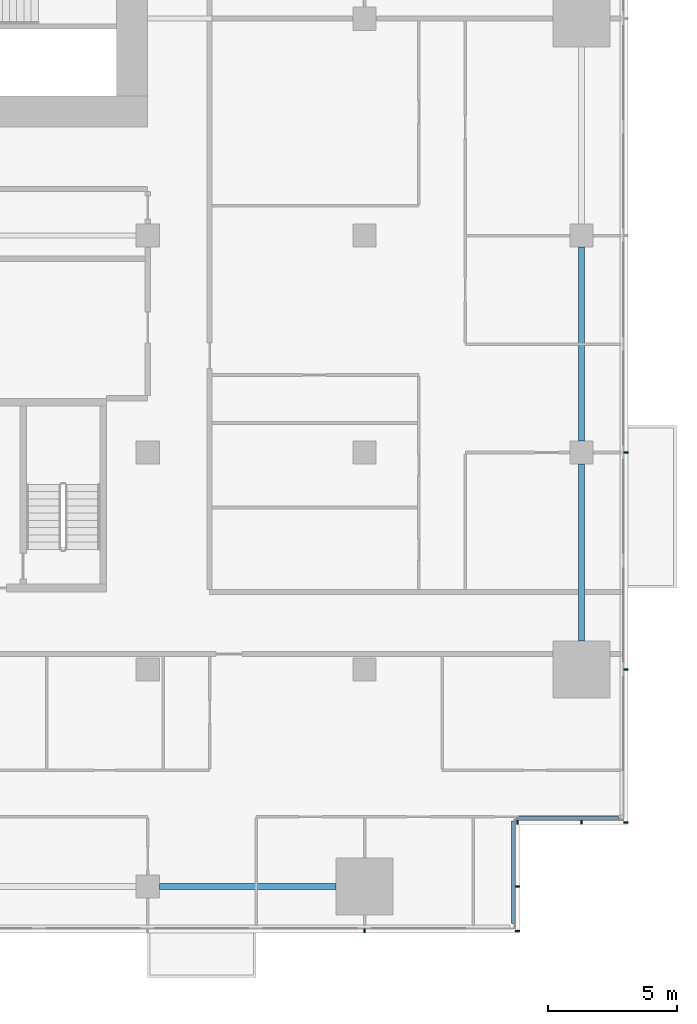
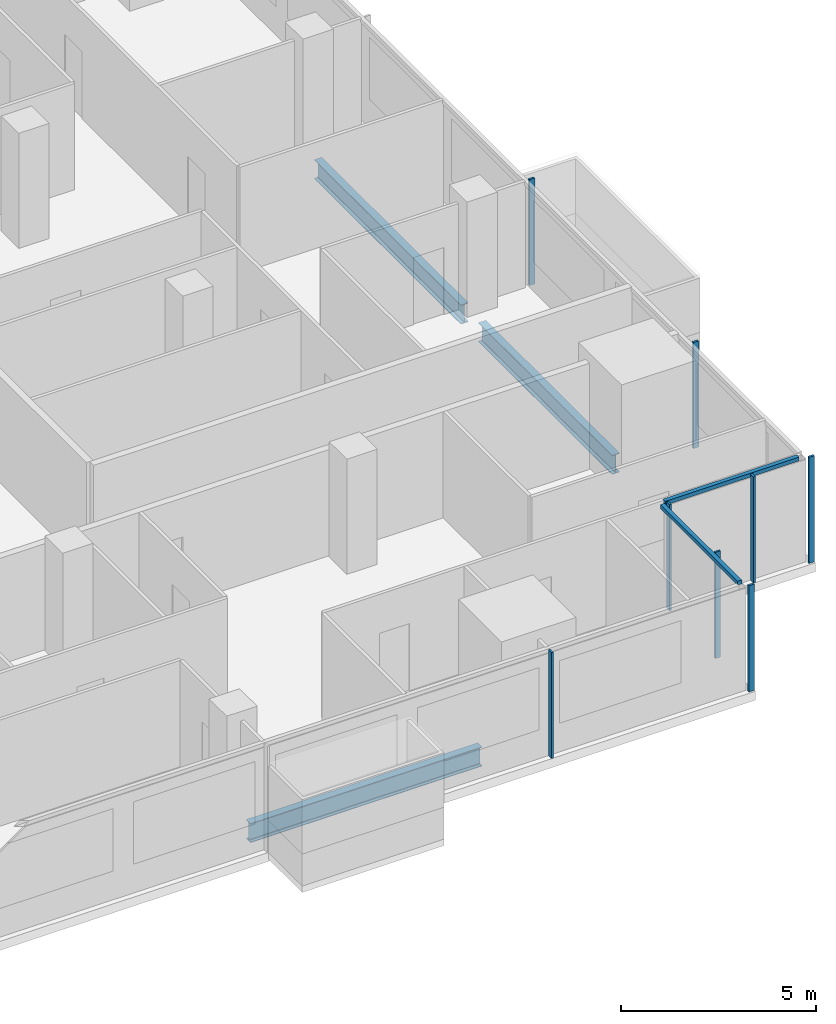
# One storey, part 11 of 29: 10 members, 3 beams, 4 elements without a shape of their own.
"""IFC4 building model written with IfcOpenShell, lengths in metres."""

from ifc_helpers import new_model, si_unit, direction, frame, origin, origin_2d, place, context, subcontext, project, spatial, rectangle, i_section, extrude, material, material_profile, profile_set, type_object, element, aggregate, save


model = new_model("IFC4")

# Units and contexts
model_context = context("Model", 3, precision=1e-05, world=origin(), true_north=direction((0.0, 1.0)))
body_context = subcontext(model_context, "Body", "Model", "MODEL_VIEW")
ifc_project = project(units=[si_unit("LENGTHUNIT", "METRE"), si_unit("AREAUNIT", "SQUARE_METRE"), si_unit("VOLUMEUNIT", "CUBIC_METRE"), si_unit("PLANEANGLEUNIT", "RADIAN"), si_unit("MASSUNIT", "GRAM", prefix="KILO")], contexts=[model_context])

# Site, building, storey
site_placement = place(None, origin())
site = spatial("IfcSite", under=ifc_project, at=site_placement, CompositionType="ELEMENT")
building_placement = place(site_placement, origin())
building = spatial("IfcBuilding", under=site, at=building_placement, Name="Saffron Gate Tower", CompositionType="ELEMENT")
storey_placement = place(building_placement, frame((0.0, 0.0, 58.800048828125)))
storey = spatial("IfcBuildingStorey", under=building, at=storey_placement, Name="L13", CompositionType="ELEMENT", Elevation=58.800048828125)

# Beams
ifc_material_1 = material(Name="Structural steel S355", Category="steel")
ifc_material_profile_1 = material_profile(ifc_material_1, i_section(OverallWidth=0.219970703125, OverallDepth=0.60009765625, WebThickness=0.011962890625, FlangeThickness=0.01904296875, FilletRadius=0.02392578125, at=origin_2d()))
ifc_profile_set_1 = profile_set([ifc_material_profile_1], Name="Structural steel S355")
beam_type = type_object("IfcBeamType", Name="B16 IPE 600", PredefinedType="SPANDREL", material=ifc_profile_set_1)
for number, where, z_axis, x_axis, name in (
    (1, (109.050048828125, 31.800048828125, -0.580078125), (1.0, 0.0, 0.0), (0.0, 1.0, 0.0), "B16 SPANDREL BEAM"),
    (2, (125.39990234375, 41.300048828125, -0.580078125), (0.0, 1.0, 0.0), (-1.0, 0.0, 0.0), "B16 SPANDREL BEAM"),
):
    element("IfcBeam", number, at=place(storey_placement, frame(where, z_axis=z_axis, x_axis=x_axis)), inside=storey, type_object=beam_type, Name=name, PredefinedType="SPANDREL", context=body_context, shape_type="SweptSolid", body=[
        extrude(i_section(OverallWidth=0.219970703125, OverallDepth=0.60009765625, WebThickness=0.011962890625, FlangeThickness=0.01904296875, FilletRadius=0.02392578125, at=origin_2d()), origin(), (0.0, 0.0, 1.0), 6.849853515625),
    ])
beam_placement = place(storey_placement, frame((125.39990234375, 49.050048828125, -0.580078125), z_axis=(0.0, 1.0, 0.0), x_axis=(-1.0, 0.0, 0.0)))
element("IfcBeam", 3, at=beam_placement, inside=storey, type_object=beam_type, Name="B16 SPANDREL BEAM", PredefinedType="SPANDREL", context=body_context, shape_type="SweptSolid", body=[
    extrude(i_section(OverallWidth=0.219970703125, OverallDepth=0.60009765625, WebThickness=0.011962890625, FlangeThickness=0.01904296875, FilletRadius=0.02392578125, at=origin_2d()), origin(), (0.0, 0.0, 1.0), 7.5),
])

# Curtain wall, member
ifc_material_2 = material(Name="Aluminium, bronze anodised", Category="aluminium")
curtain_wall_type_1 = type_object("IfcCurtainWallType", Name="CWS1 curtain wall front facade", PredefinedType="NOTDEFINED", material=ifc_material_2)
curtain_wall_1_placement = place(storey_placement, origin())
curtain_wall_1 = element("IfcCurtainWall", 4, at=curtain_wall_1_placement, inside=storey, type_object=curtain_wall_type_1, Name="CWS1 run 1", PredefinedType="NOTDEFINED")
ifc_material_profile_2 = material_profile(ifc_material_2, rectangle(XDim=0.159912109375, YDim=0.06005859375, at=origin_2d()))
ifc_profile_set_2 = profile_set([ifc_material_profile_2], Name="Aluminium, bronze anodised")
member_type_1 = type_object("IfcMemberType", Name="CWS1 mullion 60x160", PredefinedType="MULLION", material=ifc_profile_set_2)
member_1_placement = place(storey_placement, frame((117.0, 30.080078125, 0.0), z_axis=(0.0, 0.0, 1.0), x_axis=(0.0, 1.0, 0.0)))
member_1 = element("IfcMember", 5, at=member_1_placement, type_object=member_type_1, Name="CWS1 mullion 9", PredefinedType="MULLION", context=body_context, shape_type="SweptSolid", body=[
    extrude(rectangle(XDim=0.159912109375, YDim=0.06005859375, at=origin_2d()), origin(), (0.0, 0.0, 1.0), 3.320068359375),
])
aggregate(curtain_wall_1, [member_1])

# Curtain wall, members
curtain_wall_type_2 = type_object("IfcCurtainWallType", Name="CWS2 curtain wall side facades", PredefinedType="NOTDEFINED", material=ifc_material_2)
curtain_wall_2_placement = place(storey_placement, origin())
curtain_wall_2 = element("IfcCurtainWall", 6, at=curtain_wall_2_placement, inside=storey, type_object=curtain_wall_type_2, Name="CWS2 run 4", PredefinedType="NOTDEFINED")
ifc_material_profile_3 = material_profile(ifc_material_2, rectangle(XDim=0.159912109375, YDim=0.06005859375, at=origin_2d()))
ifc_profile_set_3 = profile_set([ifc_material_profile_3], Name="Aluminium, bronze anodised")
member_type_2 = type_object("IfcMemberType", Name="CWS2 mullion 60x160", PredefinedType="MULLION", material=ifc_profile_set_3)
member_2_placement = place(storey_placement, frame((127.1201171875, 34.280029296875, 0.0), z_axis=(0.0, 0.0, 1.0), x_axis=(-1.0, 0.0, 0.0)))
member_2 = element("IfcMember", 7, at=member_2_placement, type_object=member_type_2, Name="CWS2 mullion 1", PredefinedType="MULLION", context=body_context, shape_type="SweptSolid", body=[
    extrude(rectangle(XDim=0.159912109375, YDim=0.06005859375, at=origin_2d()), origin(), (0.0, 0.0, 1.0), 3.320068359375),
])
member_3_placement = place(storey_placement, frame((127.1201171875, 40.199951171875, 0.0), z_axis=(0.0, 0.0, 1.0), x_axis=(-1.0, 0.0, 0.0)))
member_3 = element("IfcMember", 8, at=member_3_placement, type_object=member_type_2, Name="CWS2 mullion 2", PredefinedType="MULLION", context=body_context, shape_type="SweptSolid", body=[
    extrude(rectangle(XDim=0.159912109375, YDim=0.06005859375, at=origin_2d()), origin(), (0.0, 0.0, 1.0), 3.320068359375),
])
member_4_placement = place(storey_placement, frame((127.1201171875, 48.60009765625, 0.0), z_axis=(0.0, 0.0, 1.0), x_axis=(-1.0, 0.0, 0.0)))
member_4 = element("IfcMember", 9, at=member_4_placement, type_object=member_type_2, Name="CWS2 mullion 3", PredefinedType="MULLION", context=body_context, shape_type="SweptSolid", body=[
    extrude(rectangle(XDim=0.159912109375, YDim=0.06005859375, at=origin_2d()), origin(), (0.0, 0.0, 1.0), 3.320068359375),
])
aggregate(curtain_wall_2, [member_2, member_3, member_4])

# Curtain wall, member
curtain_wall_type_3 = type_object("IfcCurtainWallType", Name="CWS4 curtain wall corner returns", PredefinedType="NOTDEFINED", material=ifc_material_2)
curtain_wall_3_placement = place(storey_placement, origin())
curtain_wall_3 = element("IfcCurtainWall", 10, at=curtain_wall_3_placement, inside=storey, type_object=curtain_wall_type_3, Name="CWS4 run 2", PredefinedType="NOTDEFINED")
ifc_material_profile_4 = material_profile(ifc_material_2, rectangle(XDim=0.1201171875, YDim=0.1201171875, at=origin_2d()))
ifc_profile_set_4 = profile_set([ifc_material_profile_4], Name="Aluminium, bronze anodised")
member_type_3 = type_object("IfcMemberType", Name="CWS4 head transom", PredefinedType="USERDEFINED", material=ifc_profile_set_4)
member_5_placement = place(storey_placement, frame((122.751953125, 30.367919921875, 3.260009765625), z_axis=(0.0, 1.0, 0.0), x_axis=(-1.0, 0.0, 0.0)))
member_5 = element("IfcMember", 11, at=member_5_placement, type_object=member_type_3, Name="CWS4 head transom", ObjectType="TRANSOM", PredefinedType="USERDEFINED", context=body_context, shape_type="SweptSolid", body=[
    extrude(rectangle(XDim=0.1201171875, YDim=0.1201171875, at=origin_2d()), origin(), (0.0, 0.0, 1.0), 3.9599609375),
])

curtain_wall_4_placement = place(storey_placement, origin())
curtain_wall_4 = element("IfcCurtainWall", 12, at=curtain_wall_4_placement, inside=storey, type_object=curtain_wall_type_3, Name="CWS4 run 3", PredefinedType="NOTDEFINED")
member_6_placement = place(storey_placement, frame((122.8720703125, 34.447998046875, 3.260009765625), z_axis=(1.0, 0.0, 0.0), x_axis=(0.0, 1.0, 0.0)))
member_6 = element("IfcMember", 13, at=member_6_placement, type_object=member_type_3, Name="CWS4 head transom", ObjectType="TRANSOM", PredefinedType="USERDEFINED", context=body_context, shape_type="SweptSolid", body=[
    extrude(rectangle(XDim=0.1201171875, YDim=0.1201171875, at=origin_2d()), origin(), (0.0, 0.0, 1.0), 3.9599609375),
])

# Member
ifc_material_profile_5 = material_profile(ifc_material_2, rectangle(XDim=0.159912109375, YDim=0.06005859375, at=origin_2d()))
ifc_profile_set_5 = profile_set([ifc_material_profile_5], Name="Aluminium, bronze anodised")
member_type_4 = type_object("IfcMemberType", Name="CWS4 mullion 60x160", PredefinedType="MULLION", material=ifc_profile_set_5)
member_7_placement = place(storey_placement, frame((122.919921875, 30.080078125, 0.0), z_axis=(0.0, 0.0, 1.0), x_axis=(-1.0, 0.0, 0.0)))
member_7 = element("IfcMember", 14, at=member_7_placement, type_object=member_type_4, Name="CWS4 mullion 1", PredefinedType="MULLION", context=body_context, shape_type="SweptSolid", body=[
    extrude(rectangle(XDim=0.159912109375, YDim=0.06005859375, at=origin_2d()), origin(), (0.0, 0.0, 1.0), 3.320068359375),
])

member_8_placement = place(storey_placement, frame((122.919921875, 31.800048828125, 0.0), z_axis=(0.0, 0.0, 1.0), x_axis=(-1.0, 0.0, 0.0)))
member_8 = element("IfcMember", 15, at=member_8_placement, type_object=member_type_4, Name="CWS4 mullion 2", PredefinedType="MULLION", context=body_context, shape_type="SweptSolid", body=[
    extrude(rectangle(XDim=0.159912109375, YDim=0.06005859375, at=origin_2d()), origin(), (0.0, 0.0, 1.0), 3.320068359375),
])

aggregate(curtain_wall_3, [member_7, member_8, member_5])

member_9_placement = place(storey_placement, frame((122.919921875, 34.280029296875, 0.0), z_axis=(0.0, 0.0, 1.0), x_axis=(0.0, 1.0, 0.0)))
member_9 = element("IfcMember", 16, at=member_9_placement, type_object=member_type_4, Name="CWS4 mullion 1", PredefinedType="MULLION", context=body_context, shape_type="SweptSolid", body=[
    extrude(rectangle(XDim=0.159912109375, YDim=0.06005859375, at=origin_2d()), origin(), (0.0, 0.0, 1.0), 3.320068359375),
])

member_10_placement = place(storey_placement, frame((125.39990234375, 34.280029296875, 0.0), z_axis=(0.0, 0.0, 1.0), x_axis=(0.0, 1.0, 0.0)))
member_10 = element("IfcMember", 17, at=member_10_placement, type_object=member_type_4, Name="CWS4 mullion 2", PredefinedType="MULLION", context=body_context, shape_type="SweptSolid", body=[
    extrude(rectangle(XDim=0.159912109375, YDim=0.06005859375, at=origin_2d()), origin(), (0.0, 0.0, 1.0), 3.320068359375),
])

aggregate(curtain_wall_4, [member_9, member_10, member_6])

save(model, "model.ifc")
